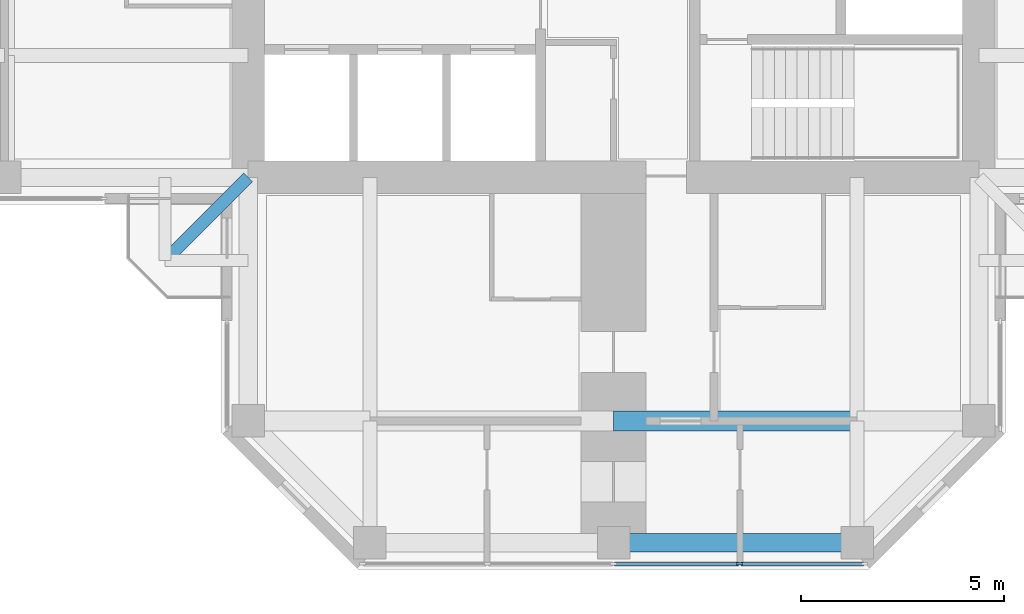
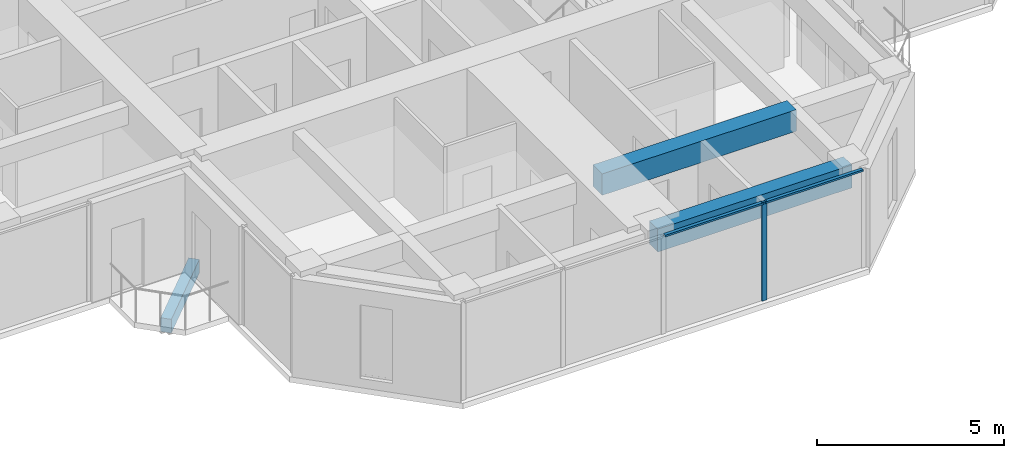
# One storey, part 3 of 14: 3 beams, 3 members, 1 element without a shape of its own.
"""IFC4 building model written with IfcOpenShell, lengths in metres."""

from ifc_helpers import new_model, si_unit, direction, frame, origin, origin_2d, place, context, subcontext, project, spatial, rectangle, extrude, material, material_profile, profile_set, type_object, element, aggregate, save


model = new_model("IFC4")

# Units and contexts
model_context = context("Model", 3, precision=1e-05, world=origin(), true_north=direction((0.0, 1.0)))
body_context = subcontext(model_context, "Body", "Model", "MODEL_VIEW")
ifc_project = project(units=[si_unit("LENGTHUNIT", "METRE"), si_unit("AREAUNIT", "SQUARE_METRE"), si_unit("VOLUMEUNIT", "CUBIC_METRE"), si_unit("PLANEANGLEUNIT", "RADIAN"), si_unit("MASSUNIT", "GRAM", prefix="KILO")], contexts=[model_context])

# Site, building, storey
site_placement = place(None, origin())
site = spatial("IfcSite", under=ifc_project, at=site_placement, CompositionType="ELEMENT")
building_placement = place(site_placement, origin())
building = spatial("IfcBuilding", under=site, at=building_placement, Name="Torre Cruceta", CompositionType="ELEMENT")
storey_placement = place(building_placement, frame((0.0, 0.0, 228.89990234375)))
storey = spatial("IfcBuildingStorey", under=building, at=storey_placement, Name="L58", CompositionType="ELEMENT", Elevation=228.89990234375)

# Beams
ifc_material_1 = material(Name="Concrete G60 (fck 60 MPa)", Category="concrete")
ifc_material_profile_1 = material_profile(ifc_material_1, rectangle(XDim=0.300048828125, YDim=0.449951171875, at=origin_2d()), Name="RC 300X450")
ifc_profile_set_1 = profile_set([ifc_material_profile_1], Name="Concrete G60 (fck 60 MPa)")
beam_type_1 = type_object("IfcBeamType", Name="BALCONY CANTILEVER BEAM RC 300X450", PredefinedType="BEAM", material=ifc_profile_set_1)
beam_1_placement = place(storey_placement, frame((-9.0, -9.0, -0.40478515625), z_axis=(-0.707106781187, -0.707106781187, 0.0), x_axis=(0.707106781187, -0.707106781187, 0.0)))
element("IfcBeam", 1, at=beam_1_placement, inside=storey, type_object=beam_type_1, Name="BB1 balcony beam L58 W", PredefinedType="BEAM", context=body_context, shape_type="SweptSolid", body=[
    extrude(rectangle(XDim=0.300048828125, YDim=0.449951171875, at=origin_2d()), origin(), (0.0, 0.0, 1.0), 2.89990234375),
])
ifc_material_2 = material(Name="Concrete G60 (fck 60 MPa)", Category="concrete")
ifc_material_profile_2 = material_profile(ifc_material_2, rectangle(XDim=0.5, YDim=0.699951171875, at=origin_2d()), Name="RC 500X700")
ifc_profile_set_2 = profile_set([ifc_material_profile_2], Name="Concrete G60 (fck 60 MPa)")
beam_type_2 = type_object("IfcBeamType", Name="CROSS BEAM RC 500X700", PredefinedType="BEAM", material=ifc_profile_set_2)
beam_2_placement = place(storey_placement, frame((0.0, -15.0, 2.8701171875), z_axis=(1.0, 0.0, 0.0), x_axis=(0.0, 1.0, 0.0)))
element("IfcBeam", 2, at=beam_2_placement, inside=storey, type_object=beam_type_2, Name="GB7 L58 S cross15 3", PredefinedType="BEAM", context=body_context, shape_type="SweptSolid", body=[
    extrude(rectangle(XDim=0.5, YDim=0.699951171875, at=origin_2d()), origin(), (0.0, 0.0, 1.0), 6.0),
])

# Curtain wall, members
ifc_material_3 = material(Name="Aluminium unitised curtain wall", Category="aluminium")
curtain_wall_type = type_object("IfcCurtainWallType", Name="CURTAIN WALL CW-D CO-LIVING UPPER", PredefinedType="USERDEFINED", material=ifc_material_3)
curtain_wall_placement = place(storey_placement, origin())
curtain_wall = element("IfcCurtainWall", 3, at=curtain_wall_placement, inside=storey, type_object=curtain_wall_type, Name="CW-D L58 S tip 17", ObjectType="UNITISED", PredefinedType="USERDEFINED")
ifc_material_4 = material(Name="Aluminium mullion", Category="aluminium")
ifc_material_profile_3 = material_profile(ifc_material_4, rectangle(XDim=0.06005859375, YDim=0.14990234375, at=origin_2d()), Name="AL 60X150")
ifc_profile_set_3 = profile_set([ifc_material_profile_3], Name="Aluminium mullion")
member_type_1 = type_object("IfcMemberType", Name="CW-D MULLION 60X150", PredefinedType="MULLION", material=ifc_profile_set_3)
member_1_placement = place(storey_placement, frame((3.107666015625, -18.52001953125, 0.0), z_axis=(0.0, 0.0, 1.0), x_axis=(0.0, 1.0, 0.0)))
member_1 = element("IfcMember", 4, at=member_1_placement, type_object=member_type_1, Name="CW-D mullion 4", PredefinedType="MULLION", context=body_context, shape_type="SweptSolid", body=[
    extrude(rectangle(XDim=0.06005859375, YDim=0.14990234375, at=origin_2d()), origin(), (0.0, 0.0, 1.0), 3.22021484375),
])
ifc_material_5 = material(Name="Aluminium transom", Category="aluminium")
ifc_material_profile_4 = material_profile(ifc_material_5, rectangle(XDim=0.10009765625, YDim=0.06005859375, at=origin_2d()), Name="AL 100X60")
ifc_profile_set_4 = profile_set([ifc_material_profile_4], Name="Aluminium transom")
member_type_2 = type_object("IfcMemberType", Name="CW-D TRANSOM 60X100", PredefinedType="USERDEFINED", material=ifc_profile_set_4)
member_2_placement = place(storey_placement, frame((0.030029296875, -18.52001953125, 3.190185546875), z_axis=(1.0, 0.0, 0.0), x_axis=(0.0, 1.0, 0.0)))
member_2 = element("IfcMember", 5, at=member_2_placement, type_object=member_type_2, Name="CW-D transom 3", ObjectType="TRANSOM", PredefinedType="USERDEFINED", context=body_context, shape_type="SweptSolid", body=[
    extrude(rectangle(XDim=0.10009765625, YDim=0.06005859375, at=origin_2d()), origin(), (0.0, 0.0, 1.0), 3.047607421875),
])
member_3_placement = place(storey_placement, frame((3.1376953125, -18.52001953125, 3.190185546875), z_axis=(1.0, 0.0, 0.0), x_axis=(0.0, 1.0, 0.0)))
member_3 = element("IfcMember", 6, at=member_3_placement, type_object=member_type_2, Name="CW-D transom 4", ObjectType="TRANSOM", PredefinedType="USERDEFINED", context=body_context, shape_type="SweptSolid", body=[
    extrude(rectangle(XDim=0.10009765625, YDim=0.06005859375, at=origin_2d()), origin(), (0.0, 0.0, 1.0), 3.017578125),
])
aggregate(curtain_wall, [member_1, member_2, member_3])

# Beam
ifc_material_6 = material(Name="Concrete G60 (fck 60 MPa)", Category="concrete")
ifc_material_profile_5 = material_profile(ifc_material_6, rectangle(XDim=0.449951171875, YDim=0.75, at=origin_2d()), Name="RC 450X750")
ifc_profile_set_5 = profile_set([ifc_material_profile_5], Name="Concrete G60 (fck 60 MPa)")
beam_type_3 = type_object("IfcBeamType", Name="SPANDREL BEAM RC 450X750", PredefinedType="SPANDREL", material=ifc_profile_set_5)
beam_3_placement = place(storey_placement, frame((0.0, -18.0, 2.84521484375), z_axis=(1.0, 0.0, 0.0), x_axis=(0.0, 1.0, 0.0)))
element("IfcBeam", 7, at=beam_3_placement, inside=storey, type_object=beam_type_3, Name="SB7 L58 S tip 2", PredefinedType="SPANDREL", context=body_context, shape_type="SweptSolid", body=[
    extrude(rectangle(XDim=0.449951171875, YDim=0.75, at=origin_2d()), origin(), (0.0, 0.0, 1.0), 6.0),
])

save(model, "model.ifc")
